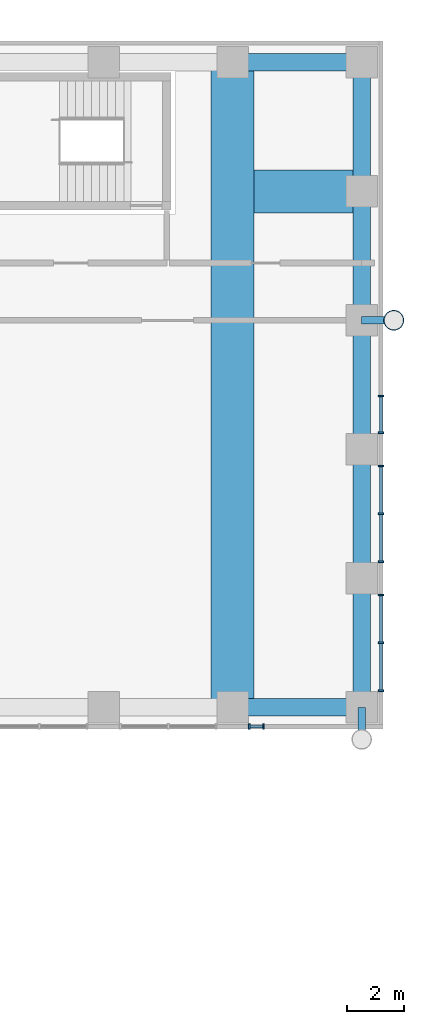
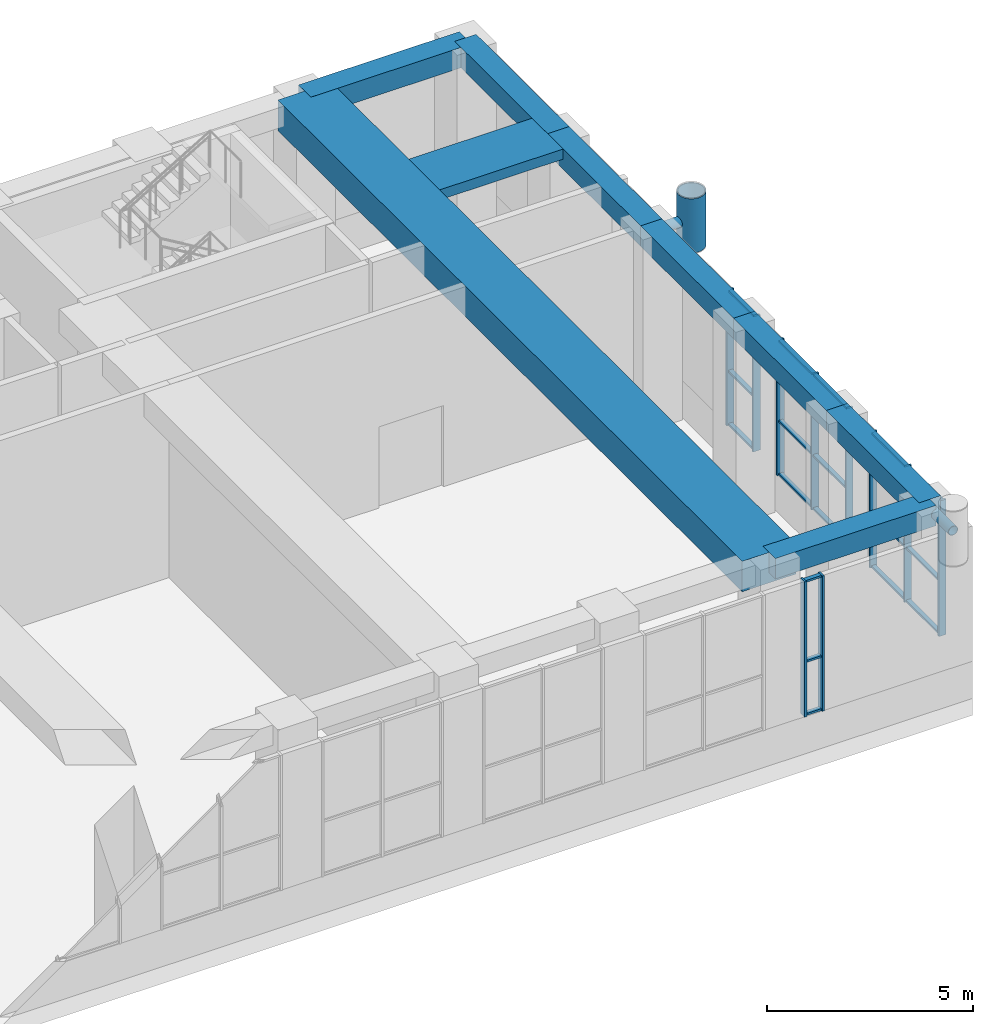
# One storey, part 9 of 22: 31 members, 9 beams, 4 elements without a shape of their own.
"""IFC4 building model written with IfcOpenShell, lengths in metres."""

from ifc_helpers import new_model, si_unit, direction, frame, origin, origin_2d, place, context, subcontext, project, spatial, rectangle, hollow_circle, extrude, material, material_profile, profile_set, type_object, element, aggregate, save


model = new_model("IFC4")

# Units and contexts
model_context = context("Model", 3, precision=1e-05, world=origin(), true_north=direction((0.0, 1.0)))
body_context = subcontext(model_context, "Body", "Model", "MODEL_VIEW")
ifc_project = project(units=[si_unit("LENGTHUNIT", "METRE"), si_unit("AREAUNIT", "SQUARE_METRE"), si_unit("VOLUMEUNIT", "CUBIC_METRE"), si_unit("PLANEANGLEUNIT", "RADIAN"), si_unit("MASSUNIT", "GRAM", prefix="KILO")], contexts=[model_context])

# Site, building, storey
site_placement = place(None, origin())
site = spatial("IfcSite", under=ifc_project, at=site_placement, CompositionType="ELEMENT")
building_placement = place(site_placement, origin())
building = spatial("IfcBuilding", under=site, at=building_placement, Name="Firuza Court", CompositionType="ELEMENT")
storey_placement = place(building_placement, frame((0.0, 0.0, 113.60009765625)))
storey = spatial("IfcBuildingStorey", under=building, at=storey_placement, Name="L28", CompositionType="ELEMENT", Elevation=113.60009765625)

# Beams
ifc_material_1 = material(Name="Concrete C40/50", Category="concrete")
ifc_material_profile_1 = material_profile(ifc_material_1, rectangle(XDim=1.5, YDim=0.300048828125, at=origin_2d()), Name="RC 1500x300")
ifc_profile_set_1 = profile_set([ifc_material_profile_1], Name="Concrete C40/50")
beam_type_1 = type_object("IfcBeamType", Name="Band beam RC 1500x300 C40/50", PredefinedType="BEAM", material=ifc_profile_set_1)
beam_1_placement = place(storey_placement, frame((67.5, 54.0, 5.5498046875), z_axis=(-1.0, 0.0, 0.0), x_axis=(0.0, -1.0, 0.0)))
element("IfcBeam", 1, at=beam_1_placement, inside=storey, type_object=beam_type_1, Name="Band beam FB6 level L29", PredefinedType="BEAM", context=body_context, shape_type="SweptSolid", body=[
    extrude(rectangle(XDim=1.5, YDim=0.300048828125, at=origin_2d()), origin(), (0.0, 0.0, 1.0), 3.75),
])
ifc_material_2 = material(Name="Concrete C40/50", Category="concrete")
ifc_material_profile_2 = material_profile(ifc_material_2, rectangle(XDim=1.5, YDim=0.89990234375, at=origin_2d()), Name="RC 1500x900")
ifc_profile_set_2 = profile_set([ifc_material_profile_2], Name="Concrete C40/50")
beam_type_2 = type_object("IfcBeamType", Name="Band beam RC 1500x900 C40/50", PredefinedType="BEAM", material=ifc_profile_set_2)
beam_2_placement = place(storey_placement, frame((63.0, 36.0, 5.25), z_axis=(0.0, 1.0, 0.0), x_axis=(-1.0, 0.0, 0.0)))
element("IfcBeam", 2, at=beam_2_placement, inside=storey, type_object=beam_type_2, Name="Band beam FB2 level L29", PredefinedType="BEAM", context=body_context, shape_type="SweptSolid", body=[
    extrude(rectangle(XDim=1.5, YDim=0.89990234375, at=origin_2d()), origin(), (0.0, 0.0, 1.0), 22.5),
])

# Members
ifc_material_3 = material(Name="Steel S355", Category="steel")
ifc_material_profile_3 = material_profile(ifc_material_3, hollow_circle(Radius=0.35546875, WallThickness=0.030029296875, at=origin_2d()), Name="CHS 711x30")
ifc_profile_set_3 = profile_set([ifc_material_profile_3], Name="Steel S355")
member_type_1 = type_object("IfcMemberType", Name="Diagrid node CHS 711x30 S355", PredefinedType="USERDEFINED", material=ifc_profile_set_3)
member_1_placement = place(storey_placement, frame((68.6201171875, 49.5, 4.64990234375), z_axis=(0.0, 0.0, 1.0), x_axis=(1.0, 0.0, 0.0)))
element("IfcMember", 3, at=member_1_placement, inside=storey, type_object=member_type_1, Name="Diagrid node level L28", ObjectType="DIAGRID NODE", PredefinedType="USERDEFINED", context=body_context, shape_type="SweptSolid", body=[
    extrude(hollow_circle(Radius=0.35546875, WallThickness=0.030029296875, at=origin_2d()), origin(), (0.0, 0.0, 1.0), 1.60009765625),
])
ifc_material_4 = material(Name="Steel S355", Category="steel")
ifc_material_profile_4 = material_profile(ifc_material_4, hollow_circle(Radius=0.136474609375, WallThickness=0.012451171875, at=origin_2d()), Name="CHS 273x12.5")
ifc_profile_set_4 = profile_set([ifc_material_profile_4], Name="Steel S355")
member_type_2 = type_object("IfcMemberType", Name="Diagrid tie CHS 273x12.5 S355", PredefinedType="STRUT", material=ifc_profile_set_4)
for number, where, z_axis, x_axis, name in (
    (4, (67.5, 36.0, 5.449951171875), (0.0, -1.0, 0.0), (1.0, 0.0, 0.0), "Diagrid tie level L29"),
    (5, (67.5, 49.5, 5.449951171875), (1.0, 0.0, 0.0), (0.0, 1.0, 0.0), "Diagrid tie level L29"),
):
    element("IfcMember", number, at=place(storey_placement, frame(where, z_axis=z_axis, x_axis=x_axis)), inside=storey, type_object=member_type_2, Name=name, PredefinedType="STRUT", context=body_context, shape_type="SweptSolid", body=[
        extrude(hollow_circle(Radius=0.136474609375, WallThickness=0.012451171875, at=origin_2d()), origin(), (0.0, 0.0, 1.0), 1.1201171875),
    ])

# Curtain wall, members
ifc_material_5 = material(Name="Aluminium curtain wall, triple clear glazing", Category="aluminium")
curtain_wall_type = type_object("IfcCurtainWallType", Name="Sky floor unitised curtain wall CW3", PredefinedType="NOTDEFINED", material=ifc_material_5)
curtain_wall_1_placement = place(storey_placement, origin())
curtain_wall_1 = element("IfcCurtainWall", 6, at=curtain_wall_1_placement, inside=storey, type_object=curtain_wall_type, Name="Sky floor unitised curtain wall CW3 L28", PredefinedType="NOTDEFINED")
ifc_material_6 = material(Name="Aluminium EN AW-6060 T66", Category="aluminium")
ifc_material_profile_5 = material_profile(ifc_material_6, rectangle(XDim=0.199951171875, YDim=0.06005859375, at=origin_2d()), Name="Mullion 200 x 60 CW3")
ifc_profile_set_5 = profile_set([ifc_material_profile_5], Name="Aluminium EN AW-6060 T66")
member_type_3 = type_object("IfcMemberType", Name="Mullion 200 x 60 CW3", PredefinedType="MULLION", material=ifc_profile_set_5)
member_2_placement = place(storey_placement, frame((63.580078125, 35.330078125, 1.099853515625), z_axis=(0.0, 0.0, 1.0), x_axis=(0.0, 1.0, 0.0)))
member_2 = element("IfcMember", 7, at=member_2_placement, type_object=member_type_3, Name="CW3 mullion 1", PredefinedType="MULLION", context=body_context, shape_type="SweptSolid", body=[
    extrude(rectangle(XDim=0.199951171875, YDim=0.06005859375, at=origin_2d()), origin(), (0.0, 0.0, 1.0), 4.0),
])
member_3_placement = place(storey_placement, frame((64.075439453125, 35.330078125, 1.099853515625), z_axis=(0.0, 0.0, 1.0), x_axis=(0.0, 1.0, 0.0)))
member_3 = element("IfcMember", 8, at=member_3_placement, type_object=member_type_3, Name="CW3 mullion 2", PredefinedType="MULLION", context=body_context, shape_type="SweptSolid", body=[
    extrude(rectangle(XDim=0.199951171875, YDim=0.06005859375, at=origin_2d()), origin(), (0.0, 0.0, 1.0), 4.0),
])

curtain_wall_2_placement = place(storey_placement, origin())
curtain_wall_2 = element("IfcCurtainWall", 9, at=curtain_wall_2_placement, inside=storey, type_object=curtain_wall_type, Name="Sky floor unitised curtain wall CW3 L28", PredefinedType="NOTDEFINED")
member_4_placement = place(storey_placement, frame((68.169921875, 36.580078125, 1.099853515625), z_axis=(0.0, 0.0, 1.0), x_axis=(-1.0, 0.0, 0.0)))
member_4 = element("IfcMember", 10, at=member_4_placement, type_object=member_type_3, Name="CW3 mullion 1", PredefinedType="MULLION", context=body_context, shape_type="SweptSolid", body=[
    extrude(rectangle(XDim=0.199951171875, YDim=0.06005859375, at=origin_2d()), origin(), (0.0, 0.0, 1.0), 4.0),
])
member_5_placement = place(storey_placement, frame((68.169921875, 38.25, 1.099853515625), z_axis=(0.0, 0.0, 1.0), x_axis=(-1.0, 0.0, 0.0)))
member_5 = element("IfcMember", 11, at=member_5_placement, type_object=member_type_3, Name="CW3 mullion 2", PredefinedType="MULLION", context=body_context, shape_type="SweptSolid", body=[
    extrude(rectangle(XDim=0.199951171875, YDim=0.06005859375, at=origin_2d()), origin(), (0.0, 0.0, 1.0), 4.0),
])
member_6_placement = place(storey_placement, frame((68.169921875, 39.919921875, 1.099853515625), z_axis=(0.0, 0.0, 1.0), x_axis=(-1.0, 0.0, 0.0)))
member_6 = element("IfcMember", 12, at=member_6_placement, type_object=member_type_3, Name="CW3 mullion 3", PredefinedType="MULLION", context=body_context, shape_type="SweptSolid", body=[
    extrude(rectangle(XDim=0.199951171875, YDim=0.06005859375, at=origin_2d()), origin(), (0.0, 0.0, 1.0), 4.0),
])

curtain_wall_3_placement = place(storey_placement, origin())
curtain_wall_3 = element("IfcCurtainWall", 13, at=curtain_wall_3_placement, inside=storey, type_object=curtain_wall_type, Name="Sky floor unitised curtain wall CW3 L28", PredefinedType="NOTDEFINED")
member_7_placement = place(storey_placement, frame((68.169921875, 41.080078125, 1.099853515625), z_axis=(0.0, 0.0, 1.0), x_axis=(-1.0, 0.0, 0.0)))
member_7 = element("IfcMember", 14, at=member_7_placement, type_object=member_type_3, Name="CW3 mullion 1", PredefinedType="MULLION", context=body_context, shape_type="SweptSolid", body=[
    extrude(rectangle(XDim=0.199951171875, YDim=0.06005859375, at=origin_2d()), origin(), (0.0, 0.0, 1.0), 4.0),
])
member_8_placement = place(storey_placement, frame((68.169921875, 42.75, 1.099853515625), z_axis=(0.0, 0.0, 1.0), x_axis=(-1.0, 0.0, 0.0)))
member_8 = element("IfcMember", 15, at=member_8_placement, type_object=member_type_3, Name="CW3 mullion 2", PredefinedType="MULLION", context=body_context, shape_type="SweptSolid", body=[
    extrude(rectangle(XDim=0.199951171875, YDim=0.06005859375, at=origin_2d()), origin(), (0.0, 0.0, 1.0), 4.0),
])
member_9_placement = place(storey_placement, frame((68.169921875, 44.419921875, 1.099853515625), z_axis=(0.0, 0.0, 1.0), x_axis=(-1.0, 0.0, 0.0)))
member_9 = element("IfcMember", 16, at=member_9_placement, type_object=member_type_3, Name="CW3 mullion 3", PredefinedType="MULLION", context=body_context, shape_type="SweptSolid", body=[
    extrude(rectangle(XDim=0.199951171875, YDim=0.06005859375, at=origin_2d()), origin(), (0.0, 0.0, 1.0), 4.0),
])

curtain_wall_4_placement = place(storey_placement, origin())
curtain_wall_4 = element("IfcCurtainWall", 17, at=curtain_wall_4_placement, inside=storey, type_object=curtain_wall_type, Name="Sky floor unitised curtain wall CW3 L28", PredefinedType="NOTDEFINED")
member_10_placement = place(storey_placement, frame((68.169921875, 45.580078125, 1.099853515625), z_axis=(0.0, 0.0, 1.0), x_axis=(-1.0, 0.0, 0.0)))
member_10 = element("IfcMember", 18, at=member_10_placement, type_object=member_type_3, Name="CW3 mullion 1", PredefinedType="MULLION", context=body_context, shape_type="SweptSolid", body=[
    extrude(rectangle(XDim=0.199951171875, YDim=0.06005859375, at=origin_2d()), origin(), (0.0, 0.0, 1.0), 4.0),
])
member_11_placement = place(storey_placement, frame((68.169921875, 46.857177734375, 1.099853515625), z_axis=(0.0, 0.0, 1.0), x_axis=(-1.0, 0.0, 0.0)))
member_11 = element("IfcMember", 19, at=member_11_placement, type_object=member_type_3, Name="CW3 mullion 2", PredefinedType="MULLION", context=body_context, shape_type="SweptSolid", body=[
    extrude(rectangle(XDim=0.199951171875, YDim=0.06005859375, at=origin_2d()), origin(), (0.0, 0.0, 1.0), 4.0),
])

# Beams
ifc_material_7 = material(Name="Concrete C40/50", Category="concrete")
ifc_material_profile_6 = material_profile(ifc_material_7, rectangle(XDim=0.60009765625, YDim=0.60009765625, at=origin_2d()), Name="RC 600x600")
ifc_profile_set_6 = profile_set([ifc_material_profile_6], Name="Concrete C40/50")
beam_type_3 = type_object("IfcBeamType", Name="Spandrel beam RC 600x600 C40/50", PredefinedType="BEAM", material=ifc_profile_set_6)
for number, where, z_axis, x_axis, name in (
    (20, (63.0, 36.0, 5.39990234375), (1.0, 0.0, 0.0), (0.0, 1.0, 0.0), "Spandrel beam SP11 level L29"),
    (21, (67.5, 36.0, 5.39990234375), (0.0, 1.0, 0.0), (-1.0, 0.0, 0.0), "Spandrel beam SP11 level L29"),
    (22, (67.5, 40.5, 5.39990234375), (0.0, 1.0, 0.0), (-1.0, 0.0, 0.0), "Spandrel beam SP11 level L29"),
    (23, (67.5, 45.0, 5.39990234375), (0.0, 1.0, 0.0), (-1.0, 0.0, 0.0), "Spandrel beam SP11 level L29"),
    (24, (67.5, 49.5, 5.39990234375), (0.0, 1.0, 0.0), (-1.0, 0.0, 0.0), "Spandrel beam SP11 level L29"),
    (25, (67.5, 54.0, 5.39990234375), (0.0, 1.0, 0.0), (-1.0, 0.0, 0.0), "Spandrel beam SP11 level L29"),
    (26, (67.5, 58.5, 5.39990234375), (-1.0, 0.0, 0.0), (0.0, -1.0, 0.0), "Spandrel beam SP11 level L29"),
):
    element("IfcBeam", number, at=place(storey_placement, frame(where, z_axis=z_axis, x_axis=x_axis)), inside=storey, type_object=beam_type_3, Name=name, PredefinedType="BEAM", context=body_context, shape_type="SweptSolid", body=[
        extrude(rectangle(XDim=0.60009765625, YDim=0.60009765625, at=origin_2d()), origin(), (0.0, 0.0, 1.0), 4.5),
    ])

# Member
ifc_material_8 = material(Name="Aluminium EN AW-6060 T66", Category="aluminium")
ifc_material_profile_7 = material_profile(ifc_material_8, rectangle(XDim=0.1201171875, YDim=0.06005859375, at=origin_2d()), Name="Transom 120 x 60 CW3")
ifc_profile_set_7 = profile_set([ifc_material_profile_7], Name="Aluminium EN AW-6060 T66")
member_type_4 = type_object("IfcMemberType", Name="Transom 120 x 60 CW3", PredefinedType="USERDEFINED", material=ifc_profile_set_7)
member_12_placement = place(storey_placement, frame((63.610107421875, 35.330078125, 1.1298828125), z_axis=(1.0, 0.0, 0.0), x_axis=(0.0, 1.0, 0.0)))
member_12 = element("IfcMember", 27, at=member_12_placement, type_object=member_type_4, Name="CW3 transom 1.1", ObjectType="TRANSOM", PredefinedType="USERDEFINED", context=body_context, shape_type="SweptSolid", body=[
    extrude(rectangle(XDim=0.1201171875, YDim=0.06005859375, at=origin_2d()), origin(), (0.0, 0.0, 1.0), 0.435302734375),
])

member_13_placement = place(storey_placement, frame((63.610107421875, 35.330078125, 2.699951171875), z_axis=(1.0, 0.0, 0.0), x_axis=(0.0, 1.0, 0.0)))
member_13 = element("IfcMember", 28, at=member_13_placement, type_object=member_type_4, Name="CW3 transom 1.2", ObjectType="TRANSOM", PredefinedType="USERDEFINED", context=body_context, shape_type="SweptSolid", body=[
    extrude(rectangle(XDim=0.1201171875, YDim=0.06005859375, at=origin_2d()), origin(), (0.0, 0.0, 1.0), 0.435302734375),
])

member_14_placement = place(storey_placement, frame((63.610107421875, 35.330078125, 5.06982421875), z_axis=(1.0, 0.0, 0.0), x_axis=(0.0, 1.0, 0.0)))
member_14 = element("IfcMember", 29, at=member_14_placement, type_object=member_type_4, Name="CW3 transom 1.3", ObjectType="TRANSOM", PredefinedType="USERDEFINED", context=body_context, shape_type="SweptSolid", body=[
    extrude(rectangle(XDim=0.1201171875, YDim=0.06005859375, at=origin_2d()), origin(), (0.0, 0.0, 1.0), 0.435302734375),
])

aggregate(curtain_wall_1, [member_2, member_3, member_12, member_13, member_14])

member_15_placement = place(storey_placement, frame((68.169921875, 36.610107421875, 1.1298828125), z_axis=(0.0, 1.0, 0.0), x_axis=(-1.0, 0.0, 0.0)))
member_15 = element("IfcMember", 30, at=member_15_placement, type_object=member_type_4, Name="CW3 transom 1.1", ObjectType="TRANSOM", PredefinedType="USERDEFINED", context=body_context, shape_type="SweptSolid", body=[
    extrude(rectangle(XDim=0.1201171875, YDim=0.06005859375, at=origin_2d()), origin(), (0.0, 0.0, 1.0), 1.60986328125),
])

member_16_placement = place(storey_placement, frame((68.169921875, 36.610107421875, 2.699951171875), z_axis=(0.0, 1.0, 0.0), x_axis=(-1.0, 0.0, 0.0)))
member_16 = element("IfcMember", 31, at=member_16_placement, type_object=member_type_4, Name="CW3 transom 1.2", ObjectType="TRANSOM", PredefinedType="USERDEFINED", context=body_context, shape_type="SweptSolid", body=[
    extrude(rectangle(XDim=0.1201171875, YDim=0.06005859375, at=origin_2d()), origin(), (0.0, 0.0, 1.0), 1.60986328125),
])

member_17_placement = place(storey_placement, frame((68.169921875, 36.610107421875, 5.06982421875), z_axis=(0.0, 1.0, 0.0), x_axis=(-1.0, 0.0, 0.0)))
member_17 = element("IfcMember", 32, at=member_17_placement, type_object=member_type_4, Name="CW3 transom 1.3", ObjectType="TRANSOM", PredefinedType="USERDEFINED", context=body_context, shape_type="SweptSolid", body=[
    extrude(rectangle(XDim=0.1201171875, YDim=0.06005859375, at=origin_2d()), origin(), (0.0, 0.0, 1.0), 1.60986328125),
])

member_18_placement = place(storey_placement, frame((68.169921875, 38.280029296875, 1.1298828125), z_axis=(0.0, 1.0, 0.0), x_axis=(-1.0, 0.0, 0.0)))
member_18 = element("IfcMember", 33, at=member_18_placement, type_object=member_type_4, Name="CW3 transom 2.1", ObjectType="TRANSOM", PredefinedType="USERDEFINED", context=body_context, shape_type="SweptSolid", body=[
    extrude(rectangle(XDim=0.1201171875, YDim=0.06005859375, at=origin_2d()), origin(), (0.0, 0.0, 1.0), 1.60986328125),
])

member_19_placement = place(storey_placement, frame((68.169921875, 38.280029296875, 2.699951171875), z_axis=(0.0, 1.0, 0.0), x_axis=(-1.0, 0.0, 0.0)))
member_19 = element("IfcMember", 34, at=member_19_placement, type_object=member_type_4, Name="CW3 transom 2.2", ObjectType="TRANSOM", PredefinedType="USERDEFINED", context=body_context, shape_type="SweptSolid", body=[
    extrude(rectangle(XDim=0.1201171875, YDim=0.06005859375, at=origin_2d()), origin(), (0.0, 0.0, 1.0), 1.60986328125),
])

member_20_placement = place(storey_placement, frame((68.169921875, 38.280029296875, 5.06982421875), z_axis=(0.0, 1.0, 0.0), x_axis=(-1.0, 0.0, 0.0)))
member_20 = element("IfcMember", 35, at=member_20_placement, type_object=member_type_4, Name="CW3 transom 2.3", ObjectType="TRANSOM", PredefinedType="USERDEFINED", context=body_context, shape_type="SweptSolid", body=[
    extrude(rectangle(XDim=0.1201171875, YDim=0.06005859375, at=origin_2d()), origin(), (0.0, 0.0, 1.0), 1.60986328125),
])

aggregate(curtain_wall_2, [member_4, member_5, member_6, member_15, member_16, member_17, member_18, member_19, member_20])

member_21_placement = place(storey_placement, frame((68.169921875, 41.110107421875, 1.1298828125), z_axis=(0.0, 1.0, 0.0), x_axis=(-1.0, 0.0, 0.0)))
member_21 = element("IfcMember", 36, at=member_21_placement, type_object=member_type_4, Name="CW3 transom 1.1", ObjectType="TRANSOM", PredefinedType="USERDEFINED", context=body_context, shape_type="SweptSolid", body=[
    extrude(rectangle(XDim=0.1201171875, YDim=0.06005859375, at=origin_2d()), origin(), (0.0, 0.0, 1.0), 1.60986328125),
])

member_22_placement = place(storey_placement, frame((68.169921875, 41.110107421875, 2.699951171875), z_axis=(0.0, 1.0, 0.0), x_axis=(-1.0, 0.0, 0.0)))
member_22 = element("IfcMember", 37, at=member_22_placement, type_object=member_type_4, Name="CW3 transom 1.2", ObjectType="TRANSOM", PredefinedType="USERDEFINED", context=body_context, shape_type="SweptSolid", body=[
    extrude(rectangle(XDim=0.1201171875, YDim=0.06005859375, at=origin_2d()), origin(), (0.0, 0.0, 1.0), 1.60986328125),
])

member_23_placement = place(storey_placement, frame((68.169921875, 41.110107421875, 5.06982421875), z_axis=(0.0, 1.0, 0.0), x_axis=(-1.0, 0.0, 0.0)))
member_23 = element("IfcMember", 38, at=member_23_placement, type_object=member_type_4, Name="CW3 transom 1.3", ObjectType="TRANSOM", PredefinedType="USERDEFINED", context=body_context, shape_type="SweptSolid", body=[
    extrude(rectangle(XDim=0.1201171875, YDim=0.06005859375, at=origin_2d()), origin(), (0.0, 0.0, 1.0), 1.60986328125),
])

member_24_placement = place(storey_placement, frame((68.169921875, 42.780029296875, 1.1298828125), z_axis=(0.0, 1.0, 0.0), x_axis=(-1.0, 0.0, 0.0)))
member_24 = element("IfcMember", 39, at=member_24_placement, type_object=member_type_4, Name="CW3 transom 2.1", ObjectType="TRANSOM", PredefinedType="USERDEFINED", context=body_context, shape_type="SweptSolid", body=[
    extrude(rectangle(XDim=0.1201171875, YDim=0.06005859375, at=origin_2d()), origin(), (0.0, 0.0, 1.0), 1.60986328125),
])

member_25_placement = place(storey_placement, frame((68.169921875, 42.780029296875, 2.699951171875), z_axis=(0.0, 1.0, 0.0), x_axis=(-1.0, 0.0, 0.0)))
member_25 = element("IfcMember", 40, at=member_25_placement, type_object=member_type_4, Name="CW3 transom 2.2", ObjectType="TRANSOM", PredefinedType="USERDEFINED", context=body_context, shape_type="SweptSolid", body=[
    extrude(rectangle(XDim=0.1201171875, YDim=0.06005859375, at=origin_2d()), origin(), (0.0, 0.0, 1.0), 1.60986328125),
])

member_26_placement = place(storey_placement, frame((68.169921875, 42.780029296875, 5.06982421875), z_axis=(0.0, 1.0, 0.0), x_axis=(-1.0, 0.0, 0.0)))
member_26 = element("IfcMember", 41, at=member_26_placement, type_object=member_type_4, Name="CW3 transom 2.3", ObjectType="TRANSOM", PredefinedType="USERDEFINED", context=body_context, shape_type="SweptSolid", body=[
    extrude(rectangle(XDim=0.1201171875, YDim=0.06005859375, at=origin_2d()), origin(), (0.0, 0.0, 1.0), 1.60986328125),
])

aggregate(curtain_wall_3, [member_7, member_8, member_9, member_21, member_22, member_23, member_24, member_25, member_26])

member_27_placement = place(storey_placement, frame((68.169921875, 45.610107421875, 1.1298828125), z_axis=(0.0, 1.0, 0.0), x_axis=(-1.0, 0.0, 0.0)))
member_27 = element("IfcMember", 42, at=member_27_placement, type_object=member_type_4, Name="CW3 transom 1.1", ObjectType="TRANSOM", PredefinedType="USERDEFINED", context=body_context, shape_type="SweptSolid", body=[
    extrude(rectangle(XDim=0.1201171875, YDim=0.06005859375, at=origin_2d()), origin(), (0.0, 0.0, 1.0), 1.217041015625),
])

member_28_placement = place(storey_placement, frame((68.169921875, 45.610107421875, 2.699951171875), z_axis=(0.0, 1.0, 0.0), x_axis=(-1.0, 0.0, 0.0)))
member_28 = element("IfcMember", 43, at=member_28_placement, type_object=member_type_4, Name="CW3 transom 1.2", ObjectType="TRANSOM", PredefinedType="USERDEFINED", context=body_context, shape_type="SweptSolid", body=[
    extrude(rectangle(XDim=0.1201171875, YDim=0.06005859375, at=origin_2d()), origin(), (0.0, 0.0, 1.0), 1.217041015625),
])

member_29_placement = place(storey_placement, frame((68.169921875, 45.610107421875, 5.06982421875), z_axis=(0.0, 1.0, 0.0), x_axis=(-1.0, 0.0, 0.0)))
member_29 = element("IfcMember", 44, at=member_29_placement, type_object=member_type_4, Name="CW3 transom 1.3", ObjectType="TRANSOM", PredefinedType="USERDEFINED", context=body_context, shape_type="SweptSolid", body=[
    extrude(rectangle(XDim=0.1201171875, YDim=0.06005859375, at=origin_2d()), origin(), (0.0, 0.0, 1.0), 1.217041015625),
])

aggregate(curtain_wall_4, [member_10, member_11, member_27, member_28, member_29])

save(model, "model.ifc")
